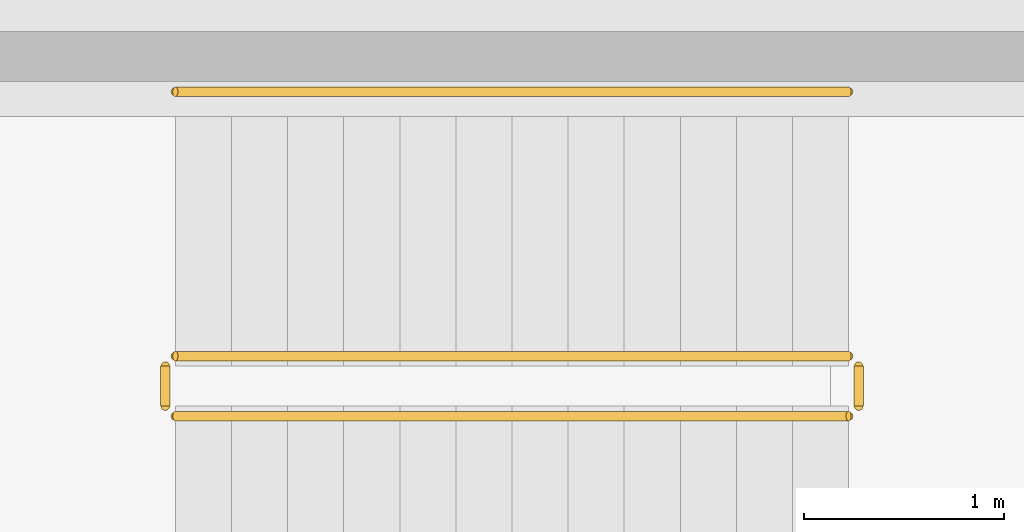
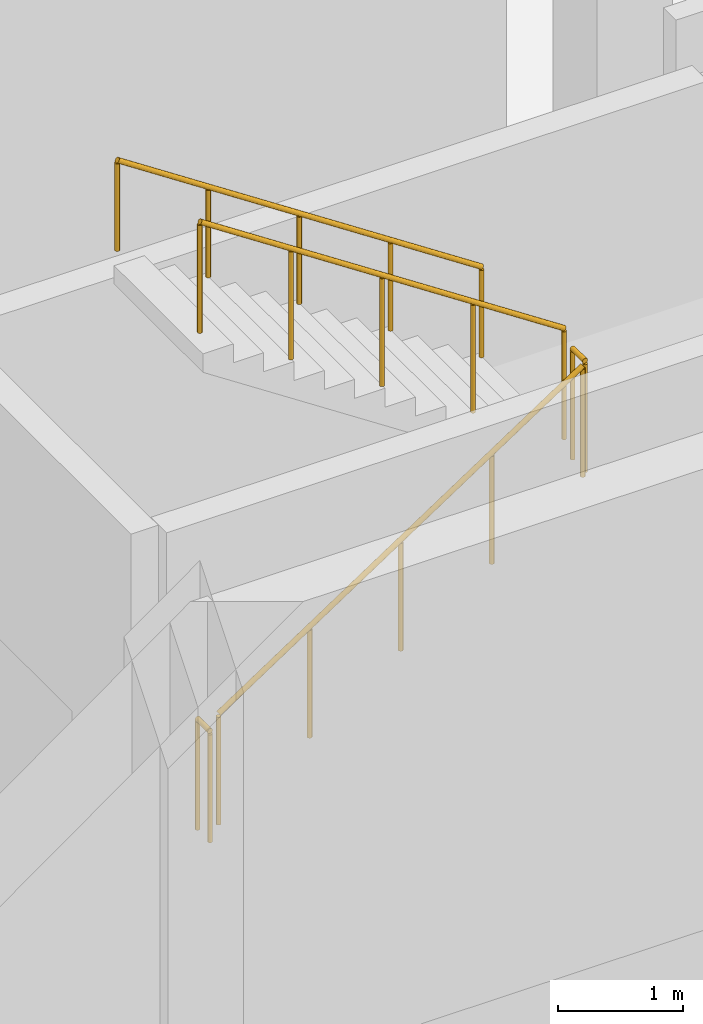
# One storey, part 41 of 50: 5 railings.
"""IFC4 building model written with IfcOpenShell, lengths in metres."""

import ifcopenshell
import ifcopenshell.guid

model = None  # the IFC model being written
_history = None  # IfcOwnerHistory: only IFC2X3 demands one
_inside = {}  # id of a spatial element -> (the spatial element, [elements in it])
_under = {}  # id of a project, library or spatial element -> (it, [spatial elements below it])
_declared = {}  # id of a project -> (the project, [libraries it declares])
_typed = {}  # id of a type object -> (the type object, [elements of that type])
_made_of = {}  # id of a material, layer set ... -> (it, [elements and type objects made of it])


def new_model(schema):
    """Start an empty IFC model of exactly this schema.

    Asked for "IFC4X3", IfcOpenShell would pick the latest addendum, in which some entities
    have other attributes; the version numbers below select the first issue.
    IFC2X3 requires an IfcOwnerHistory on every rooted entity: one is made here for all.
    """
    global model, _history
    if schema == "IFC4X3":
        model = ifcopenshell.file(schema_version=(4, 3, 0, 0))
    else:
        model = ifcopenshell.file(schema=schema)
    _inside.clear()
    _under.clear()
    _declared.clear()
    _typed.clear()
    _made_of.clear()
    _history = None
    if model.schema == "IFC2X3":
        org = make("IfcOrganization", Name="unknown")
        user = make(
            "IfcPersonAndOrganization",
            ThePerson=make("IfcPerson", FamilyName="unknown"),
            TheOrganization=org,
        )
        app = make(
            "IfcApplication",
            ApplicationDeveloper=org,
            Version="unknown",
            ApplicationFullName="unknown",
            ApplicationIdentifier="unknown",
        )
        _history = make(
            "IfcOwnerHistory",
            OwningUser=user,
            OwningApplication=app,
            ChangeAction="ADDED",
            CreationDate=0,
        )
    return model


def make(cls, **values):
    """One entity of the class cls with the attributes given. An attribute that is None is left unset."""
    return model.create_entity(
        cls, **{name: value for name, value in values.items() if value is not None}
    )


def rooted(cls, **values):
    """An entity with a GlobalId (a new one), such as an element, a storey or a relation."""
    return make(cls, GlobalId=ifcopenshell.guid.new(), OwnerHistory=_history, **values)


def si_unit(unit_type, name, prefix=None):
    """IfcSIUnit, for example si_unit("LENGTHUNIT", "METRE", prefix="MILLI")."""
    return make("IfcSIUnit", UnitType=unit_type, Prefix=prefix, Name=name)


def assignment(units):
    """IfcUnitAssignment: the units of a project."""
    return None if units is None else make("IfcUnitAssignment", Units=units)


def point(xyz):
    """IfcCartesianPoint."""
    return None if xyz is None else make("IfcCartesianPoint", Coordinates=xyz)


def direction(xyz):
    """IfcDirection."""
    return None if xyz is None else make("IfcDirection", DirectionRatios=xyz)


def frame(location, z_axis=None, x_axis=None):
    """IfcAxis2Placement3D, a coordinate frame: its origin and axes. An axis left out is left unset."""
    return make(
        "IfcAxis2Placement3D",
        Location=point(location),
        Axis=direction(z_axis),
        RefDirection=direction(x_axis),
    )


def frame_2d(location, x_axis=None):
    """IfcAxis2Placement2D, a coordinate frame in the plane: its origin and x axis."""
    return make(
        "IfcAxis2Placement2D", Location=point(location), RefDirection=direction(x_axis)
    )


def origin():
    """The frame at (0, 0, 0) with its axes left unset."""
    return frame((0.0, 0.0, 0.0))


def origin_2d():
    """The frame at (0, 0) in the plane with its x axis left unset."""
    return frame_2d((0.0, 0.0))


def place(relative_to, where):
    """IfcLocalPlacement: puts the frame where relative to a parent placement (None: the world)."""
    return make(
        "IfcLocalPlacement", PlacementRelTo=relative_to, RelativePlacement=where
    )


def context(
    kind, dimensions, precision=None, world=None, true_north=None, identifier=None
):
    """IfcGeometricRepresentationContext, for example the 3D "Model" context."""
    return make(
        "IfcGeometricRepresentationContext",
        ContextIdentifier=identifier,
        ContextType=kind,
        CoordinateSpaceDimension=dimensions,
        Precision=precision,
        WorldCoordinateSystem=world,
        TrueNorth=true_north,
    )


def subcontext(parent, identifier, kind, view, scale=None):
    """IfcGeometricRepresentationSubContext, for example "Body" below "Model"."""
    return make(
        "IfcGeometricRepresentationSubContext",
        ContextIdentifier=identifier,
        ContextType=kind,
        ParentContext=parent,
        TargetScale=scale,
        TargetView=view,
    )


def project(units=None, contexts=None):
    """IfcProject with its units and contexts."""
    return rooted(
        "IfcProject",
        Name="project",
        RepresentationContexts=contexts,
        UnitsInContext=assignment(units),
    )


def spatial(cls, under=None, at=None, **own):
    """A site, building, storey or space (cls), placed at a placement, below another one or the project."""
    s = rooted(cls, ObjectPlacement=at, **own)
    if under is not None:
        _under.setdefault(under.id(), (under, []))[1].append(s)
    return s


def profile(cls, at=None, kind="AREA", **sizes):
    """A parametric profile (cls). Its sizes go by their IFC names, for example OverallWidth=200.0."""
    return make(cls, ProfileType=kind, Position=at, **sizes)


def circle(**sizes):
    """IfcCircleProfileDef."""
    return profile("IfcCircleProfileDef", **sizes)


def extrude(swept, where, along, depth):
    """IfcExtrudedAreaSolid: the profile swept, set in the frame where, extruded along a direction by depth."""
    return make(
        "IfcExtrudedAreaSolid",
        SweptArea=swept,
        Position=where,
        ExtrudedDirection=direction(along),
        Depth=depth,
    )


def shape(context_of_items, identifier, shape_type, items):
    """IfcShapeRepresentation: the items that make up one representation, for example the "Body"."""
    return make(
        "IfcShapeRepresentation",
        ContextOfItems=context_of_items,
        RepresentationIdentifier=identifier,
        RepresentationType=shape_type,
        Items=items,
    )


def material(Name=None, Category=None):
    """IfcMaterial."""
    return make("IfcMaterial", Name=Name, Category=Category)


def made_of(thing, what):
    """Note that an element or type object is made of a material, layer set ...; save() writes the relation."""
    if what is not None:
        _made_of.setdefault(what.id(), (what, []))[1].append(thing)
    return thing


def type_object(cls, material=None, **own):
    """A type object (cls), such as IfcWallType, which elements share."""
    return made_of(rooted(cls, **own), material)


def element(
    cls,
    number,
    at=None,
    inside=None,
    cuts=None,
    type_object=None,
    material=None,
    context=None,
    identifier="Body",
    shape_type=None,
    held_by="IfcProductDefinitionShape",
    body=None,
    shapes=None,
    **own,
):
    """One element of the class cls, such as IfcWall. Its Tag is "e" and its number.

    at: its placement. inside: the storey or other place that contains it. cuts: it is an
    opening in that element (IfcRelVoidsElement). A single representation is given by context,
    identifier, shape_type and body (its items); several are given by shapes. held_by: the class
    of the entity that holds the representations. save() writes the other relations.
    """
    e = rooted(cls, Tag="e%d" % number, ObjectPlacement=at, **own)
    if body is not None:
        shapes = [shape(context, identifier, shape_type, body)]
    if shapes is not None:
        e.Representation = make(held_by, Representations=shapes)
    if inside is not None:
        _inside.setdefault(inside.id(), (inside, []))[1].append(e)
    if cuts is not None:
        rooted(
            "IfcRelVoidsElement", RelatingBuildingElement=cuts, RelatedOpeningElement=e
        )
    if type_object is not None:
        _typed.setdefault(type_object.id(), (type_object, []))[1].append(e)
    return made_of(e, material)


def aggregate(whole, parts):
    """IfcRelAggregates: a whole, such as a stair, and the parts it consists of."""
    return rooted("IfcRelAggregates", RelatingObject=whole, RelatedObjects=parts)


def save(model, path):
    """Write the relations noted so far, then the file.

    IfcRelAggregates (storeys below a building ...), IfcRelContainedInSpatialStructure (elements
    in a storey), IfcRelDefinesByType, IfcRelAssociatesMaterial and IfcRelDeclares: one each for
    every whole, place, type object, material and project.
    """
    for whole, parts in _under.values():
        aggregate(whole, parts)
    for where, things in _inside.values():
        rooted(
            "IfcRelContainedInSpatialStructure",
            RelatedElements=things,
            RelatingStructure=where,
        )
    for kind, things in _typed.values():
        rooted("IfcRelDefinesByType", RelatedObjects=things, RelatingType=kind)
    for what, things in _made_of.values():
        rooted("IfcRelAssociatesMaterial", RelatedObjects=things, RelatingMaterial=what)
    for by, libraries in _declared.values():
        rooted("IfcRelDeclares", RelatingContext=by, RelatedDefinitions=libraries)
    model.write(path)


model = new_model("IFC4")

# Units and contexts
model_context = context("Model", 3, precision=1e-05, world=origin(), true_north=direction((0.0, 1.0)))
body_context = subcontext(model_context, "Body", "Model", "MODEL_VIEW")
ifc_project = project(units=[si_unit("LENGTHUNIT", "METRE"), si_unit("AREAUNIT", "SQUARE_METRE"), si_unit("VOLUMEUNIT", "CUBIC_METRE"), si_unit("PLANEANGLEUNIT", "RADIAN"), si_unit("MASSUNIT", "GRAM", prefix="KILO")], contexts=[model_context])

# Site, building, storey
site_placement = place(None, origin())
site = spatial("IfcSite", under=ifc_project, at=site_placement, CompositionType="ELEMENT")
building_placement = place(site_placement, origin())
building = spatial("IfcBuilding", under=site, at=building_placement, Name="Vekula Escarpment Museum", CompositionType="ELEMENT")
storey_placement = place(building_placement, frame((0.0, 0.0, -4.800048828125)))
storey = spatial("IfcBuildingStorey", under=building, at=storey_placement, Name="B1", CompositionType="ELEMENT", Elevation=-4.800048828125)

# Railings
ifc_material_1 = material(Name="Painted Steel S355 stair guard", Category="steel")
railing_type_1 = type_object("IfcRailingType", Name="RL-STAIR-GUARD", PredefinedType="GUARDRAIL", material=ifc_material_1)
railing_1_placement = place(storey_placement, frame((33.919921875, 55.3701171875, 0.1845703125)))
element("IfcRailing", 1, at=railing_1_placement, inside=storey, type_object=railing_type_1, Name="B1 ST-04 stair guard 1", PredefinedType="GUARDRAIL", context=body_context, shape_type="SweptSolid", body=[
    extrude(circle(Radius=0.02392578125, at=origin_2d()), frame((0.0, 0.0, 1.076171875), z_axis=(0.834848600103, 0.0, 0.550479622607), x_axis=(0.0, 1.0, 0.0)), (0.0, 0.0, 1.0), 4.02490234375),
    extrude(circle(Radius=0.02099609375, at=origin_2d()), origin(), (0.0, 0.0, 1.0), 1.052001953125),
    extrude(circle(Radius=0.02099609375, at=origin_2d()), frame((0.840087890625, 0.0, 0.553955078125)), (0.0, 0.0, 1.0), 1.052001953125),
    extrude(circle(Radius=0.02099609375, at=origin_2d()), frame((1.68017578125, 0.0, 1.10791015625)), (0.0, 0.0, 1.0), 1.052001953125),
    extrude(circle(Radius=0.02099609375, at=origin_2d()), frame((2.52001953125, 0.0, 1.66162109375)), (0.0, 0.0, 1.0), 1.052001953125),
    extrude(circle(Radius=0.02099609375, at=origin_2d()), frame((3.360107421875, 0.0, 2.215576171875)), (0.0, 0.0, 1.0), 1.052001953125),
])
railing_2_placement = place(storey_placement, frame((37.330078125, 55.419921875, 2.400146484375)))
element("IfcRailing", 2, at=railing_2_placement, inside=storey, type_object=railing_type_1, Name="B1 ST-04 stair guard 2", PredefinedType="GUARDRAIL", context=body_context, shape_type="SweptSolid", body=[
    extrude(circle(Radius=0.02392578125, at=origin_2d()), frame((0.0, 0.0, 1.076171875), z_axis=(0.0, 1.0, 0.0), x_axis=(-1.0, 0.0, 0.0)), (0.0, 0.0, 1.0), 0.2001953125),
    extrude(circle(Radius=0.02099609375, at=origin_2d()), origin(), (0.0, 0.0, 1.0), 1.052001953125),
    extrude(circle(Radius=0.02099609375, at=origin_2d()), frame((0.0, 0.2001953125, 0.0)), (0.0, 0.0, 1.0), 1.052001953125),
])
railing_3_placement = place(storey_placement, frame((37.280029296875, 55.669921875, 2.584716796875)))
element("IfcRailing", 3, at=railing_3_placement, inside=storey, type_object=railing_type_1, Name="B1 ST-04 stair guard 3", PredefinedType="GUARDRAIL", context=body_context, shape_type="SweptSolid", body=[
    extrude(circle(Radius=0.02392578125, at=origin_2d()), frame((0.0, 0.0, 1.076171875), z_axis=(-0.834876476806, 0.0, 0.550437342915), x_axis=(0.0, -1.0, 0.0)), (0.0, 0.0, 1.0), 4.024658203125),
    extrude(circle(Radius=0.02099609375, at=origin_2d()), origin(), (0.0, 0.0, 1.0), 1.052001953125),
    extrude(circle(Radius=0.02099609375, at=origin_2d()), frame((-0.840087890625, 0.0, 0.5537109375)), (0.0, 0.0, 1.0), 1.052001953125),
    extrude(circle(Radius=0.02099609375, at=origin_2d()), frame((-1.68017578125, 0.0, 1.107666015625)), (0.0, 0.0, 1.0), 1.052001953125),
    extrude(circle(Radius=0.02099609375, at=origin_2d()), frame((-2.52001953125, 0.0, 1.66162109375)), (0.0, 0.0, 1.0), 1.052001953125),
    extrude(circle(Radius=0.02099609375, at=origin_2d()), frame((-3.360107421875, 0.0, 2.21533203125)), (0.0, 0.0, 1.0), 1.052001953125),
])
railing_4_placement = place(storey_placement, frame((33.8701171875, 55.419921875, 0.0)))
element("IfcRailing", 4, at=railing_4_placement, inside=storey, type_object=railing_type_1, Name="B1 ST-04 stair guard 4", PredefinedType="GUARDRAIL", context=body_context, shape_type="SweptSolid", body=[
    extrude(circle(Radius=0.02392578125, at=origin_2d()), frame((0.0, 0.0, 1.076171875), z_axis=(0.0, 1.0, 0.0), x_axis=(-1.0, 0.0, 0.0)), (0.0, 0.0, 1.0), 0.2001953125),
    extrude(circle(Radius=0.02099609375, at=origin_2d()), origin(), (0.0, 0.0, 1.0), 1.052001953125),
    extrude(circle(Radius=0.02099609375, at=origin_2d()), frame((0.0, 0.2001953125, 0.0)), (0.0, 0.0, 1.0), 1.052001953125),
])
ifc_material_2 = material(Name="Brushed stainless steel handrail", Category="steel")
railing_type_2 = type_object("IfcRailingType", Name="RL-STAIR-HAND", PredefinedType="HANDRAIL", material=ifc_material_2)
railing_5_placement = place(storey_placement, frame((37.280029296875, 56.989990234375, 2.584716796875)))
element("IfcRailing", 5, at=railing_5_placement, inside=storey, type_object=railing_type_2, Name="B1 ST-04 stair handrail 2", PredefinedType="HANDRAIL", context=body_context, shape_type="SweptSolid", body=[
    extrude(circle(Radius=0.02392578125, at=origin_2d()), frame((0.0, 0.0, 0.8759765625), z_axis=(-0.834876476806, 0.0, 0.550437342915), x_axis=(0.0, -1.0, 0.0)), (0.0, 0.0, 1.0), 4.024658203125),
    extrude(circle(Radius=0.02099609375, at=origin_2d()), origin(), (0.0, 0.0, 1.0), 0.851806640625),
    extrude(circle(Radius=0.02099609375, at=origin_2d()), frame((-0.840087890625, 0.0, 0.5537109375)), (0.0, 0.0, 1.0), 0.851806640625),
    extrude(circle(Radius=0.02099609375, at=origin_2d()), frame((-1.68017578125, 0.0, 1.107666015625)), (0.0, 0.0, 1.0), 0.851806640625),
    extrude(circle(Radius=0.02099609375, at=origin_2d()), frame((-2.52001953125, 0.0, 1.66162109375)), (0.0, 0.0, 1.0), 0.851806640625),
    extrude(circle(Radius=0.02099609375, at=origin_2d()), frame((-3.360107421875, 0.0, 2.21533203125)), (0.0, 0.0, 1.0), 0.851806640625),
])

save(model, "model.ifc")
